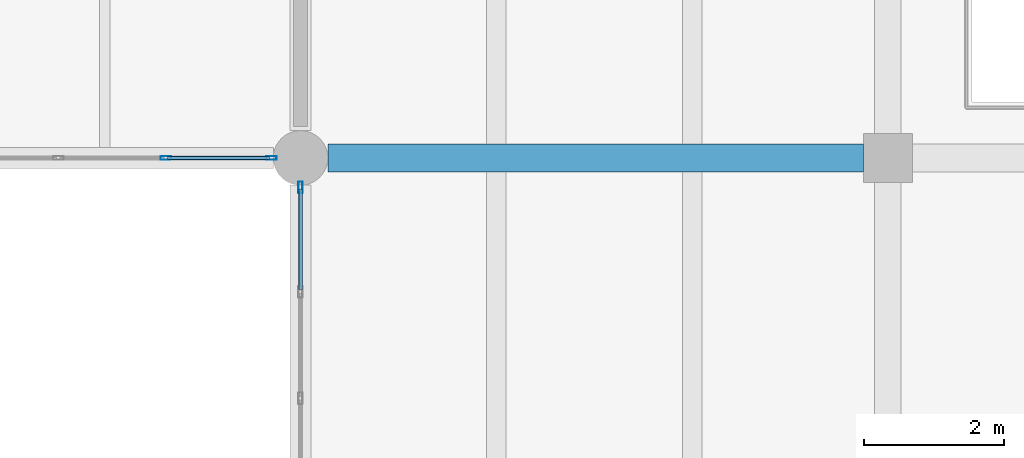
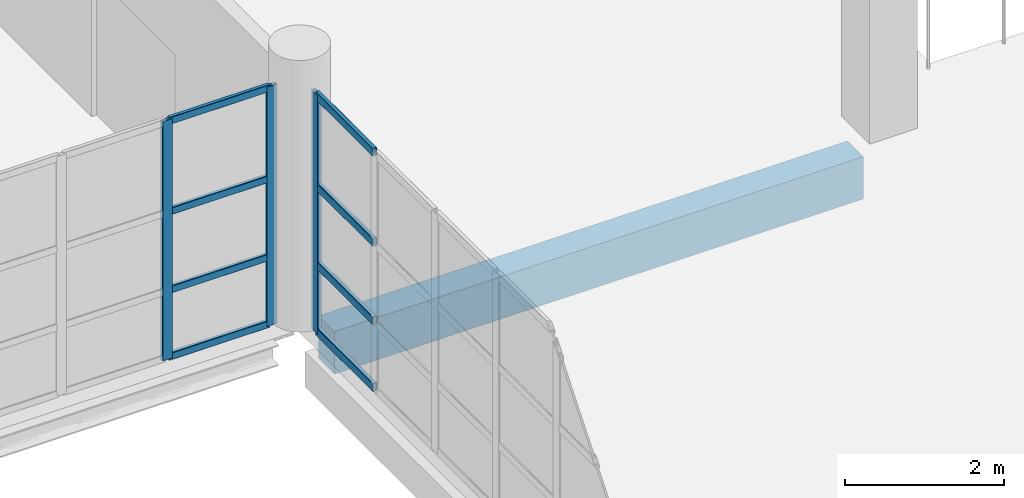
# One storey, part 68 of 177: 11 members, 1 beam, 2 elements without a shape of their own.
"""IFC4 building model written with IfcOpenShell, lengths in metres."""

from ifc_helpers import new_model, si_unit, direction, frame, origin, origin_2d, place, context, subcontext, project, spatial, rectangle, hollow_rectangle, extrude, material, layer, layer_set, material_profile, profile_set, type_object, element, aggregate, save


model = new_model("IFC4")

# Units and contexts
model_context = context("Model", 3, precision=1e-05, world=origin(), true_north=direction((0.0, 1.0)))
body_context = subcontext(model_context, "Body", "Model", "MODEL_VIEW")
ifc_project = project(units=[si_unit("LENGTHUNIT", "METRE"), si_unit("AREAUNIT", "SQUARE_METRE"), si_unit("VOLUMEUNIT", "CUBIC_METRE"), si_unit("PLANEANGLEUNIT", "RADIAN"), si_unit("MASSUNIT", "GRAM", prefix="KILO"), si_unit("THERMODYNAMICTEMPERATUREUNIT", "KELVIN"), si_unit("POWERUNIT", "WATT")], contexts=[model_context])

# Site, building, storey
site_placement = place(None, origin())
site = spatial("IfcSite", under=ifc_project, at=site_placement, CompositionType="ELEMENT")
building_placement = place(site_placement, origin())
building = spatial("IfcBuilding", under=site, at=building_placement, Name="Mavoryth Pier Ferry Terminal", CompositionType="ELEMENT")
storey_placement = place(building_placement, frame((0.0, 0.0, 5.43994140625)))
storey = spatial("IfcBuildingStorey", under=building, at=storey_placement, Name="L01", CompositionType="ELEMENT", Elevation=5.43994140625)

# Beam
ifc_material_1 = material(Name="Concrete C35/45", Category="concrete")
ifc_material_profile_1 = material_profile(ifc_material_1, rectangle(XDim=0.39990234375, YDim=0.64990234375, at=origin_2d()), Name="RC 400x650", Category="concrete")
ifc_profile_set_1 = profile_set([ifc_material_profile_1], Name="Concrete C35/45 - RC 400x650")
beam_type = type_object("IfcBeamType", Name="Girder-RC-400x650", PredefinedType="BEAM", material=ifc_profile_set_1)
beam_placement = place(storey_placement, frame((50.7900390625, 89.199951171875, -0.60498046875), z_axis=(1.0, 0.0, 0.0), x_axis=(0.0, 1.0, 0.0)))
element("IfcBeam", 1, at=beam_placement, inside=storey, type_object=beam_type, Name="Beam B01-BG05-0189", PredefinedType="BEAM", context=body_context, shape_type="SweptSolid", body=[
    extrude(rectangle(XDim=0.39990234375, YDim=0.64990234375, at=origin_2d()), origin(), (0.0, 0.0, 1.0), 7.659912109375),
])

# Curtain wall, members
ifc_material_2 = material(Name="Anodised Aluminium and Solar-Control Low-E Glass", Category="aluminium")
ifc_layer_1 = layer(ifc_material_2, 0.1201171875, Name="Anodised Aluminium and Solar-Control Low-E Glass", Category="aluminium")
ifc_layer_set_1 = layer_set([ifc_layer_1], Name="Anodised Aluminium and Solar-Control Low-E Glass - CW-BridgeLink-Mod1400")
curtain_wall_type_1 = type_object("IfcCurtainWallType", Name="CW-BridgeLink-Mod1400", PredefinedType="USERDEFINED", material=ifc_layer_set_1)
curtain_wall_1_placement = place(storey_placement, origin())
curtain_wall_1 = element("IfcCurtainWall", 2, at=curtain_wall_1_placement, inside=storey, type_object=curtain_wall_type_1, Name="Curtain Wall CW-0111-100", ObjectType="UNITISED CURTAIN WALL", PredefinedType="USERDEFINED")
ifc_material_3 = material(Name="Anodised Aluminium EN AW-6063", Category="aluminium")
ifc_material_profile_2 = material_profile(ifc_material_3, hollow_rectangle(XDim=0.054931640625, YDim=0.14990234375, WallThickness=0.00390625, InnerFilletRadius=0.00390625, OuterFilletRadius=0.008056640625, at=origin_2d()), Name="AL-MULL 150x55x4", Category="aluminium")
ifc_profile_set_2 = profile_set([ifc_material_profile_2], Name="Anodised Aluminium EN AW-6063 - AL-MULL 150x55x4")
member_type_1 = type_object("IfcMemberType", Name="Mullion-Alum-150x55", PredefinedType="MULLION", material=ifc_profile_set_2)
member_1_placement = place(storey_placement, frame((48.472900390625, 89.199951171875, 0.0), z_axis=(0.0, 0.0, 1.0), x_axis=(0.0, 1.0, 0.0)))
member_1 = element("IfcMember", 3, at=member_1_placement, type_object=member_type_1, Name="CW08 mullion 5", PredefinedType="MULLION", context=body_context, shape_type="SweptSolid", body=[
    extrude(hollow_rectangle(XDim=0.054931640625, YDim=0.14990234375, WallThickness=0.00390625, InnerFilletRadius=0.00390625, OuterFilletRadius=0.008056640625, at=origin_2d()), origin(), (0.0, 0.0, 1.0), 3.6650390625),
])
member_2_placement = place(storey_placement, frame((49.982421875, 89.199951171875, 0.0), z_axis=(0.0, 0.0, 1.0), x_axis=(0.0, 1.0, 0.0)))
member_2 = element("IfcMember", 4, at=member_2_placement, type_object=member_type_1, Name="CW08 mullion 6", PredefinedType="MULLION", context=body_context, shape_type="SweptSolid", body=[
    extrude(hollow_rectangle(XDim=0.054931640625, YDim=0.14990234375, WallThickness=0.00390625, InnerFilletRadius=0.00390625, OuterFilletRadius=0.008056640625, at=origin_2d()), origin(), (0.0, 0.0, 1.0), 3.6650390625),
])

# Curtain wall, member
ifc_layer_2 = layer(ifc_material_2, 0.159912109375, Name="Anodised Aluminium and Solar-Control Low-E Glass", Category="aluminium")
ifc_layer_set_2 = layer_set([ifc_layer_2], Name="Anodised Aluminium and Solar-Control Low-E Glass - CW-Arrivals-Mod1400")
curtain_wall_type_2 = type_object("IfcCurtainWallType", Name="CW-Arrivals-Mod1400", PredefinedType="USERDEFINED", material=ifc_layer_set_2)
curtain_wall_2_placement = place(storey_placement, origin())
curtain_wall_2 = element("IfcCurtainWall", 5, at=curtain_wall_2_placement, inside=storey, type_object=curtain_wall_type_2, Name="Curtain Wall CW-0122-066", ObjectType="UNITISED CURTAIN WALL", PredefinedType="USERDEFINED")
ifc_material_profile_3 = material_profile(ifc_material_3, hollow_rectangle(XDim=0.06005859375, YDim=0.1650390625, WallThickness=0.00390625, InnerFilletRadius=0.00390625, OuterFilletRadius=0.008056640625, at=origin_2d()), Name="AL-MULL 165x60x4", Category="aluminium")
ifc_profile_set_3 = profile_set([ifc_material_profile_3], Name="Anodised Aluminium EN AW-6063 - AL-MULL 165x60x4")
member_type_2 = type_object("IfcMemberType", Name="Mullion-Alum-165x60", PredefinedType="MULLION", material=ifc_profile_set_3)
member_3_placement = place(storey_placement, frame((50.39990234375, 88.780029296875, 0.0), z_axis=(0.0, 0.0, 1.0), x_axis=(1.0, 0.0, 0.0)))
member_3 = element("IfcMember", 6, at=member_3_placement, type_object=member_type_2, Name="CW04 mullion 1", PredefinedType="MULLION", context=body_context, shape_type="SweptSolid", body=[
    extrude(hollow_rectangle(XDim=0.06005859375, YDim=0.1650390625, WallThickness=0.00390625, InnerFilletRadius=0.00390625, OuterFilletRadius=0.008056640625, at=origin_2d()), origin(), (0.0, 0.0, 1.0), 3.66015625),
])

# Member
ifc_material_profile_4 = material_profile(ifc_material_3, hollow_rectangle(XDim=0.054931640625, YDim=0.110107421875, WallThickness=0.00390625, InnerFilletRadius=0.00390625, OuterFilletRadius=0.008056640625, at=origin_2d()), Name="AL-TRAN 110x55x4", Category="aluminium")
ifc_profile_set_4 = profile_set([ifc_material_profile_4], Name="Anodised Aluminium EN AW-6063 - AL-TRAN 110x55x4")
member_type_3 = type_object("IfcMemberType", Name="Transom-Alum-110x55", PredefinedType="USERDEFINED", material=ifc_profile_set_4)
member_4_placement = place(storey_placement, frame((48.50048828125, 89.199951171875, 0.027587890625), z_axis=(1.0, 0.0, 0.0), x_axis=(0.0, 1.0, 0.0)))
member_4 = element("IfcMember", 7, at=member_4_placement, type_object=member_type_3, Name="CW08 transom 5.1", ObjectType="TRANSOM", PredefinedType="USERDEFINED", context=body_context, shape_type="SweptSolid", body=[
    extrude(hollow_rectangle(XDim=0.054931640625, YDim=0.110107421875, WallThickness=0.00390625, InnerFilletRadius=0.00390625, OuterFilletRadius=0.008056640625, at=origin_2d()), origin(), (0.0, 0.0, 1.0), 1.45458984375),
])

member_5_placement = place(storey_placement, frame((48.50048828125, 89.199951171875, 1.050048828125), z_axis=(1.0, 0.0, 0.0), x_axis=(0.0, 1.0, 0.0)))
member_5 = element("IfcMember", 8, at=member_5_placement, type_object=member_type_3, Name="CW08 transom 5.2", ObjectType="TRANSOM", PredefinedType="USERDEFINED", context=body_context, shape_type="SweptSolid", body=[
    extrude(hollow_rectangle(XDim=0.054931640625, YDim=0.110107421875, WallThickness=0.00390625, InnerFilletRadius=0.00390625, OuterFilletRadius=0.008056640625, at=origin_2d()), origin(), (0.0, 0.0, 1.0), 1.45458984375),
])

member_6_placement = place(storey_placement, frame((48.50048828125, 89.199951171875, 2.25), z_axis=(1.0, 0.0, 0.0), x_axis=(0.0, 1.0, 0.0)))
member_6 = element("IfcMember", 9, at=member_6_placement, type_object=member_type_3, Name="CW08 transom 5.3", ObjectType="TRANSOM", PredefinedType="USERDEFINED", context=body_context, shape_type="SweptSolid", body=[
    extrude(hollow_rectangle(XDim=0.054931640625, YDim=0.110107421875, WallThickness=0.00390625, InnerFilletRadius=0.00390625, OuterFilletRadius=0.008056640625, at=origin_2d()), origin(), (0.0, 0.0, 1.0), 1.45458984375),
])

member_7_placement = place(storey_placement, frame((48.50048828125, 89.199951171875, 3.637451171875), z_axis=(1.0, 0.0, 0.0), x_axis=(0.0, 1.0, 0.0)))
member_7 = element("IfcMember", 10, at=member_7_placement, type_object=member_type_3, Name="CW08 transom 5.4", ObjectType="TRANSOM", PredefinedType="USERDEFINED", context=body_context, shape_type="SweptSolid", body=[
    extrude(hollow_rectangle(XDim=0.054931640625, YDim=0.110107421875, WallThickness=0.00390625, InnerFilletRadius=0.00390625, OuterFilletRadius=0.008056640625, at=origin_2d()), origin(), (0.0, 0.0, 1.0), 1.45458984375),
])

aggregate(curtain_wall_1, [member_1, member_2, member_4, member_5, member_6, member_7])

ifc_material_profile_5 = material_profile(ifc_material_3, hollow_rectangle(XDim=0.06005859375, YDim=0.125, WallThickness=0.00390625, InnerFilletRadius=0.00390625, OuterFilletRadius=0.008056640625, at=origin_2d()), Name="AL-TRAN 125x60x4", Category="aluminium")
ifc_profile_set_5 = profile_set([ifc_material_profile_5], Name="Anodised Aluminium EN AW-6063 - AL-TRAN 125x60x4")
member_type_4 = type_object("IfcMemberType", Name="Transom-Alum-125x60", PredefinedType="USERDEFINED", material=ifc_profile_set_5)
member_8_placement = place(storey_placement, frame((50.39990234375, 88.75, 0.030029296875), z_axis=(0.0, -1.0, 0.0), x_axis=(1.0, 0.0, 0.0)))
member_8 = element("IfcMember", 11, at=member_8_placement, type_object=member_type_4, Name="CW04 transom 1.1", ObjectType="TRANSOM", PredefinedType="USERDEFINED", context=body_context, shape_type="SweptSolid", body=[
    extrude(hollow_rectangle(XDim=0.06005859375, YDim=0.125, WallThickness=0.00390625, InnerFilletRadius=0.00390625, OuterFilletRadius=0.008056640625, at=origin_2d()), origin(), (0.0, 0.0, 1.0), 1.43408203125),
])

member_9_placement = place(storey_placement, frame((50.39990234375, 88.75, 1.050048828125), z_axis=(0.0, -1.0, 0.0), x_axis=(1.0, 0.0, 0.0)))
member_9 = element("IfcMember", 12, at=member_9_placement, type_object=member_type_4, Name="CW04 transom 1.2", ObjectType="TRANSOM", PredefinedType="USERDEFINED", context=body_context, shape_type="SweptSolid", body=[
    extrude(hollow_rectangle(XDim=0.06005859375, YDim=0.125, WallThickness=0.00390625, InnerFilletRadius=0.00390625, OuterFilletRadius=0.008056640625, at=origin_2d()), origin(), (0.0, 0.0, 1.0), 1.43408203125),
])

member_10_placement = place(storey_placement, frame((50.39990234375, 88.75, 2.25), z_axis=(0.0, -1.0, 0.0), x_axis=(1.0, 0.0, 0.0)))
member_10 = element("IfcMember", 13, at=member_10_placement, type_object=member_type_4, Name="CW04 transom 1.3", ObjectType="TRANSOM", PredefinedType="USERDEFINED", context=body_context, shape_type="SweptSolid", body=[
    extrude(hollow_rectangle(XDim=0.06005859375, YDim=0.125, WallThickness=0.00390625, InnerFilletRadius=0.00390625, OuterFilletRadius=0.008056640625, at=origin_2d()), origin(), (0.0, 0.0, 1.0), 1.43408203125),
])

member_11_placement = place(storey_placement, frame((50.39990234375, 88.75, 3.630126953125), z_axis=(0.0, -1.0, 0.0), x_axis=(1.0, 0.0, 0.0)))
member_11 = element("IfcMember", 14, at=member_11_placement, type_object=member_type_4, Name="CW04 transom 1.4", ObjectType="TRANSOM", PredefinedType="USERDEFINED", context=body_context, shape_type="SweptSolid", body=[
    extrude(hollow_rectangle(XDim=0.06005859375, YDim=0.125, WallThickness=0.00390625, InnerFilletRadius=0.00390625, OuterFilletRadius=0.008056640625, at=origin_2d()), origin(), (0.0, 0.0, 1.0), 1.43408203125),
])

aggregate(curtain_wall_2, [member_3, member_8, member_9, member_10, member_11])

save(model, "model.ifc")
